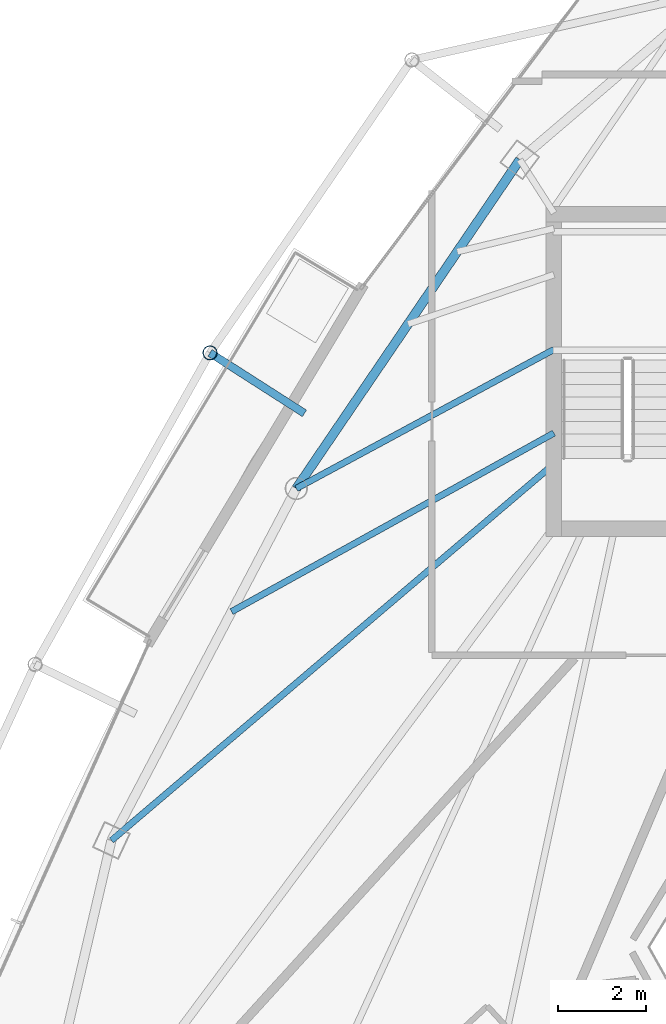
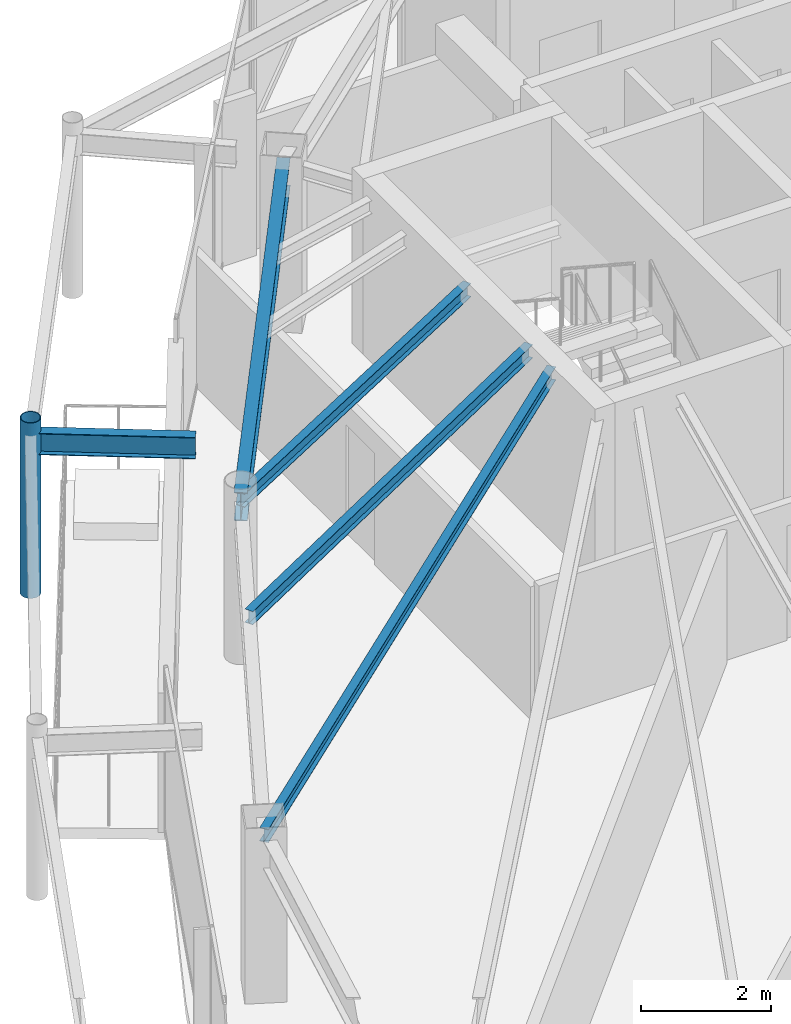
# One storey, part 11 of 30: 5 beams, 1 member.
"""IFC4 building model written with IfcOpenShell, lengths in metres."""

from ifc_helpers import new_model, si_unit, direction, frame, origin, origin_2d, place, context, subcontext, project, spatial, hollow_circle, i_section, extrude, material, material_profile, profile_set, type_object, element, save


model = new_model("IFC4")

# Units and contexts
model_context = context("Model", 3, precision=1e-05, world=origin(), true_north=direction((0.0, 1.0)))
body_context = subcontext(model_context, "Body", "Model", "MODEL_VIEW")
ifc_project = project(units=[si_unit("LENGTHUNIT", "METRE"), si_unit("AREAUNIT", "SQUARE_METRE"), si_unit("VOLUMEUNIT", "CUBIC_METRE"), si_unit("PLANEANGLEUNIT", "RADIAN"), si_unit("MASSUNIT", "GRAM", prefix="KILO")], contexts=[model_context])

# Site, building, storey
site_placement = place(None, origin())
site = spatial("IfcSite", under=ifc_project, at=site_placement, CompositionType="ELEMENT")
building_placement = place(site_placement, origin())
building = spatial("IfcBuilding", under=site, at=building_placement, Name="Orvanel Arch Residences", CompositionType="ELEMENT")
storey_placement = place(building_placement, frame((0.0, 0.0, 270.050048828125)))
storey = spatial("IfcBuildingStorey", under=building, at=storey_placement, Name="L77", CompositionType="ELEMENT", Elevation=270.050048828125)

# Beams
ifc_material_1 = material(Name="Structural steel AS/NZS 3679.1 Grade 300 (300 MPa)", Category="steel")
ifc_material_profile_1 = material_profile(ifc_material_1, i_section(OverallWidth=0.14599609375, OverallDepth=0.251953125, WebThickness=0.006103515625, FlangeThickness=0.008544921875, at=origin_2d()), Name="250UB31.4")
ifc_profile_set_1 = profile_set([ifc_material_profile_1], Name="Structural steel AS/NZS 3679.1 Grade 300 (300 MPa)")
beam_type_1 = type_object("IfcBeamType", Name="BJ-250UB", PredefinedType="JOIST", material=ifc_profile_set_1)
beam_1_placement = place(storey_placement, frame((26.425048828125, 30.800048828125, 2.933837890625), z_axis=(-0.880111494021, -0.474767056664, 0.0), x_axis=(0.474767056664, -0.880111494021, 0.0)))
element("IfcBeam", 1, at=beam_1_placement, inside=storey, type_object=beam_type_1, Name="L77 NW Wing Floor Joist", PredefinedType="JOIST", context=body_context, shape_type="SweptSolid", body=[
    extrude(i_section(OverallWidth=0.14599609375, OverallDepth=0.251953125, WebThickness=0.006103515625, FlangeThickness=0.008544921875, at=origin_2d()), origin(), (0.0, 0.0, 1.0), 6.653564453125),
])
beam_2_placement = place(storey_placement, frame((26.425048828125, 28.199951171875, 2.933837890625), z_axis=(-0.761622669031, -0.64802076357, 0.0), x_axis=(0.64802076357, -0.761622669031, 0.0)))
element("IfcBeam", 2, at=beam_2_placement, inside=storey, type_object=beam_type_1, Name="L77 W Wing Floor Joist", PredefinedType="JOIST", context=body_context, shape_type="SweptSolid", body=[
    extrude(i_section(OverallWidth=0.14599609375, OverallDepth=0.251953125, WebThickness=0.006103515625, FlangeThickness=0.008544921875, at=origin_2d()), origin(), (0.0, 0.0, 1.0), 13.2060546875),
])
beam_3_placement = place(storey_placement, frame((26.425048828125, 28.89990234375, 2.933837890625), z_axis=(-0.874754673235, -0.484566054996, 0.0), x_axis=(0.484566054996, -0.874754673235, 0.0)))
element("IfcBeam", 3, at=beam_3_placement, inside=storey, type_object=beam_type_1, Name="L77 CTW Wing Floor Joist", PredefinedType="JOIST", context=body_context, shape_type="SweptSolid", body=[
    extrude(i_section(OverallWidth=0.14599609375, OverallDepth=0.251953125, WebThickness=0.006103515625, FlangeThickness=0.008544921875, at=origin_2d()), origin(), (0.0, 0.0, 1.0), 8.376220703125),
])
ifc_material_profile_2 = material_profile(ifc_material_1, i_section(OverallWidth=0.177978515625, OverallDepth=0.406005859375, WebThickness=0.0078125, FlangeThickness=0.0126953125, at=origin_2d()), Name="410UB59.7")
ifc_profile_set_2 = profile_set([ifc_material_profile_2], Name="Structural steel AS/NZS 3679.1 Grade 300 (300 MPa)")
beam_type_2 = type_object("IfcBeamType", Name="OB-410UB-EXT", PredefinedType="SPANDREL", material=ifc_profile_set_2)
beam_4_placement = place(storey_placement, frame((20.7548828125, 29.347900390625, 2.85693359375), z_axis=(-0.84210440705, 0.539314534968, 0.0), x_axis=(-0.539314534968, -0.84210440705, 0.0)))
element("IfcBeam", 4, at=beam_4_placement, inside=storey, type_object=beam_type_2, Name="L77 Outer Frame Radial Tie Beam 02", PredefinedType="SPANDREL", context=body_context, shape_type="SweptSolid", body=[
    extrude(i_section(OverallWidth=0.177978515625, OverallDepth=0.406005859375, WebThickness=0.0078125, FlangeThickness=0.0126953125, at=origin_2d()), origin(), (0.0, 0.0, 1.0), 2.549560546875),
])
ifc_material_profile_3 = material_profile(ifc_material_1, i_section(OverallWidth=0.208984375, OverallDepth=0.532958984375, WebThickness=0.01025390625, FlangeThickness=0.015625, at=origin_2d()), Name="530UB92.4")
ifc_profile_set_3 = profile_set([ifc_material_profile_3], Name="Structural steel AS/NZS 3679.1 Grade 300 (300 MPa)")
beam_type_3 = type_object("IfcBeamType", Name="SP-530UB", PredefinedType="SPANDREL", material=ifc_profile_set_3)
beam_5_placement = place(storey_placement, frame((25.64794921875, 35.113037109375, 2.7939453125), z_axis=(-0.562154793153, -0.827032035978, 0.0), x_axis=(0.827032035978, -0.562154793153, 0.0)))
element("IfcBeam", 5, at=beam_5_placement, inside=storey, type_object=beam_type_3, Name="L77 Perimeter Spandrel Beam 11", PredefinedType="SPANDREL", context=body_context, shape_type="SweptSolid", body=[
    extrude(i_section(OverallWidth=0.208984375, OverallDepth=0.532958984375, WebThickness=0.01025390625, FlangeThickness=0.015625, at=origin_2d()), origin(), (0.0, 0.0, 1.0), 9.03466796875),
])

# Member
ifc_material_2 = material(Name="Structural steel AS/NZS 1163 C350L0 (Grade 350)", Category="steel")
ifc_material_profile_4 = material_profile(ifc_material_2, hollow_circle(Radius=0.162109375, WallThickness=0.0126953125, at=origin_2d()), Name="CHS324x12.7")
ifc_profile_set_4 = profile_set([ifc_material_profile_4], Name="Structural steel AS/NZS 1163 C350L0 (Grade 350)")
member_type = type_object("IfcMemberType", Name="ST-324CHS-EXT", PredefinedType="STRUT", material=ifc_profile_set_4)
member_placement = place(storey_placement, frame((18.60791015625, 30.722900390625, 0.0), z_axis=(0.0, 0.0, 1.0), x_axis=(1.0, 0.0, 0.0)))
element("IfcMember", 6, at=member_placement, inside=storey, type_object=member_type, Name="L77 Outer Perimeter Frame Post 02", PredefinedType="STRUT", context=body_context, shape_type="SweptSolid", body=[
    extrude(hollow_circle(Radius=0.162109375, WallThickness=0.0126953125, at=origin_2d()), origin(), (0.0, 0.0, 1.0), 3.300048828125),
])

save(model, "model.ifc")
